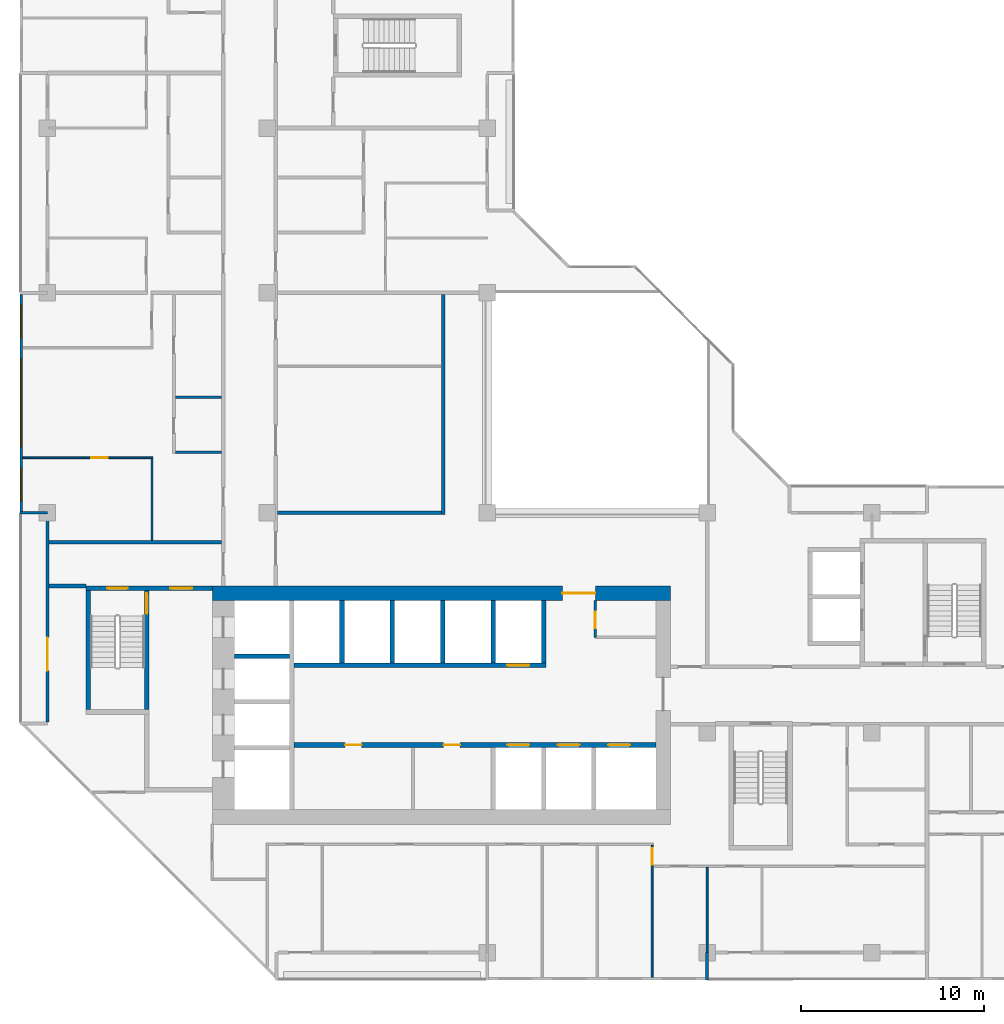
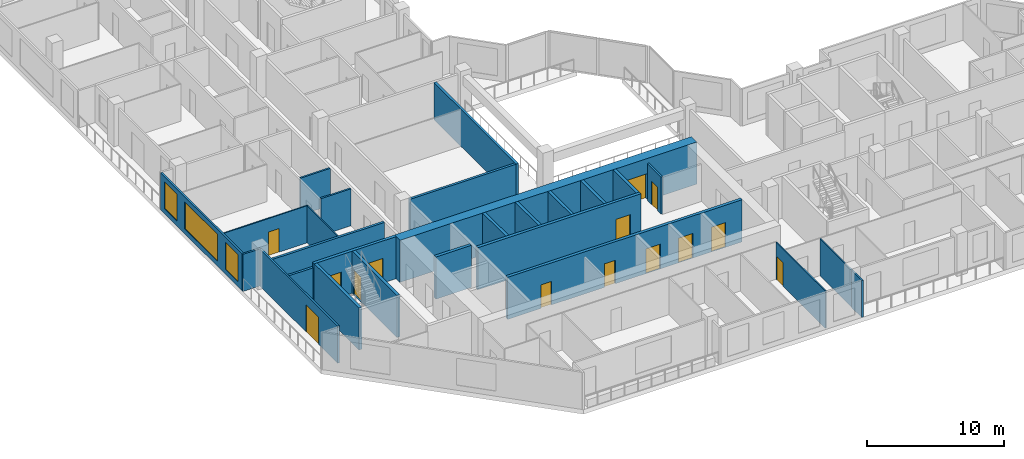
# One storey, part 5 of 15: 27 walls, 14 doors, 3 windows, 17 openings.
"""IFC4 building model written with IfcOpenShell, lengths in metres."""

from ifc_helpers import new_model, si_unit, direction, frame, frame_2d, origin, place, context, subcontext, project, spatial, rectangle, extrude, material, layer, layer_set, type_object, element, fill, save


model = new_model("IFC4")

# Units and contexts
model_context = context("Model", 3, precision=1e-05, world=origin(), true_north=direction((0.0, 1.0)))
body_context = subcontext(model_context, "Body", "Model", "MODEL_VIEW")
ifc_project = project(units=[si_unit("LENGTHUNIT", "METRE"), si_unit("AREAUNIT", "SQUARE_METRE"), si_unit("VOLUMEUNIT", "CUBIC_METRE"), si_unit("PLANEANGLEUNIT", "RADIAN"), si_unit("MASSUNIT", "GRAM", prefix="KILO")], contexts=[model_context])

# Site, building, storey
site_placement = place(None, origin())
site = spatial("IfcSite", under=ifc_project, at=site_placement, CompositionType="ELEMENT")
building_placement = place(site_placement, origin())
building = spatial("IfcBuilding", under=site, at=building_placement, Name="Chenar Terraces", CompositionType="ELEMENT")
storey_placement = place(building_placement, frame((0.0, 0.0, 202.39990234375)))
storey = spatial("IfcBuildingStorey", under=building, at=storey_placement, Name="L47", CompositionType="ELEMENT", Elevation=202.39990234375)

# Wall, opening, door
ifc_material_1 = material(Name="Gypsum board on steel studs", Category="steel")
ifc_layer_1 = layer(ifc_material_1, 0.14990234375)
ifc_layer_set_1 = layer_set([ifc_layer_1], Name="Gypsum board on steel studs")
wall_type_1 = type_object("IfcWallType", Name="Core partition 150 gypsum board", PredefinedType="PARTITIONING", material=ifc_layer_set_1)
wall_1_placement = place(storey_placement, frame((29.89990234375, 17.199951171875, 0.0), z_axis=(0.0, 0.0, 1.0), x_axis=(0.0, 1.0, 0.0)))
wall_1 = element("IfcWall", 1, at=wall_1_placement, inside=storey, type_object=wall_type_1, Name="Core partition CP1 vestibule room west wall", PredefinedType="PARTITIONING", context=body_context, shape_type="SweptSolid", body=[
    extrude(rectangle(XDim=2.0, YDim=0.14990234375, at=frame_2d((1.0, 0.0))), origin(), (0.0, 0.0, 1.0), 3.300048828125),
])
opening_1_placement = place(wall_1_placement, frame((0.5, 0.0, 0.0)))
opening_1 = element("IfcOpeningElement", 2, at=opening_1_placement, cuts=wall_1, Name="Opening DL47-C14", PredefinedType="OPENING", context=body_context, shape_type="SweptSolid", body=[
    extrude(rectangle(XDim=0.89990234375, YDim=2.10009765625, at=frame_2d((0.449951171875, 1.050048828125))), frame((0.0, 0.0849609375, 0.0), z_axis=(0.0, -1.0, 0.0), x_axis=(1.0, 0.0, 0.0)), (0.0, 0.0, 1.0), 0.169921875),
])
ifc_material_2 = material(Name="Steel-framed fire-resisting door leaf", Category="steel")
door_type_1 = type_object("IfcDoorType", Name="Riser fire door FD60 900 x 2100", OperationType="SINGLE_SWING_LEFT", PredefinedType="DOOR", material=ifc_material_2)
door_1_placement = place(opening_1_placement, frame((0.89990234375, 0.0, 0.0), z_axis=(0.0, 0.0, 1.0), x_axis=(-1.0, 0.0, 0.0)))
door_1 = element("IfcDoor", 3, at=door_1_placement, inside=storey, type_object=door_type_1, Name="Core room door DL47-C14", OperationType="SINGLE_SWING_RIGHT", OverallHeight=2.10009765625, OverallWidth=0.89990234375, PredefinedType="DOOR", context=body_context, shape_type="SweptSolid", body=[
    extrude(rectangle(XDim=0.89990234375, YDim=2.10009765625, at=frame_2d((0.449951171875, 1.050048828125))), frame((0.0, 0.02490234375, 0.0), z_axis=(0.0, -1.0, 0.0), x_axis=(1.0, 0.0, 0.0)), (0.0, 0.0, 1.0), 0.050048828125),
])
fill(opening_1, door_1)

# Wall, openings, doors
ifc_material_3 = material(Name="Concrete C60/75", Category="concrete")
ifc_layer_2 = layer(ifc_material_3, 0.25)
ifc_layer_set_2 = layer_set([ifc_layer_2], Name="Concrete C60/75")
wall_type_2 = type_object("IfcWallType", Name="Core wall 250 Concrete C60/75", PredefinedType="SHEAR", material=ifc_layer_set_2)
wall_2_placement = place(storey_placement, frame((13.449951171875, 11.324951171875, 0.0), z_axis=(0.0, 0.0, 1.0), x_axis=(1.0, 0.0, 0.0)))
wall_2 = element("IfcWall", 4, at=wall_2_placement, inside=storey, type_object=wall_type_2, Name="Core wall SF L47", PredefinedType="SHEAR", context=body_context, shape_type="SweptSolid", body=[
    extrude(rectangle(XDim=19.75, YDim=0.25, at=frame_2d((9.875, 0.0))), origin(), (0.0, 0.0, 1.0), 3.75),
])
opening_2_placement = place(wall_2_placement, frame((11.64990234375, 0.0, 0.0)))
opening_2 = element("IfcOpeningElement", 5, at=opening_2_placement, cuts=wall_2, Name="Opening DL47-LD1", PredefinedType="OPENING", context=body_context, shape_type="SweptSolid", body=[
    extrude(rectangle(XDim=1.199951171875, YDim=2.199951171875, at=frame_2d((0.60009765625, 1.10009765625))), frame((0.0, 0.135009765625, 0.0), z_axis=(0.0, -1.0, 0.0), x_axis=(1.0, 0.0, 0.0)), (0.0, 0.0, 1.0), 0.27001953125),
])
opening_3_placement = place(wall_2_placement, frame((14.39990234375, 0.0, 0.0)))
opening_3 = element("IfcOpeningElement", 6, at=opening_3_placement, cuts=wall_2, Name="Opening DL47-LD2", PredefinedType="OPENING", context=body_context, shape_type="SweptSolid", body=[
    extrude(rectangle(XDim=1.199951171875, YDim=2.199951171875, at=frame_2d((0.60009765625, 1.10009765625))), frame((0.0, 0.135009765625, 0.0), z_axis=(0.0, -1.0, 0.0), x_axis=(1.0, 0.0, 0.0)), (0.0, 0.0, 1.0), 0.27001953125),
])
opening_4_placement = place(wall_2_placement, frame((17.14990234375, 0.0, 0.0)))
opening_4 = element("IfcOpeningElement", 7, at=opening_4_placement, cuts=wall_2, Name="Opening DL47-LD3", PredefinedType="OPENING", context=body_context, shape_type="SweptSolid", body=[
    extrude(rectangle(XDim=1.199951171875, YDim=2.199951171875, at=frame_2d((0.60009765625, 1.10009765625))), frame((0.0, 0.135009765625, 0.0), z_axis=(0.0, -1.0, 0.0), x_axis=(1.0, 0.0, 0.0)), (0.0, 0.0, 1.0), 0.27001953125),
])
opening_5_placement = place(wall_2_placement, frame((2.800048828125, 0.0, 0.0)))
opening_5 = element("IfcOpeningElement", 8, at=opening_5_placement, cuts=wall_2, Name="Opening DL47-C12", PredefinedType="OPENING", context=body_context, shape_type="SweptSolid", body=[
    extrude(rectangle(XDim=0.89990234375, YDim=2.10009765625, at=frame_2d((0.449951171875, 1.050048828125))), frame((0.0, 0.135009765625, 0.0), z_axis=(0.0, -1.0, 0.0), x_axis=(1.0, 0.0, 0.0)), (0.0, 0.0, 1.0), 0.27001953125),
])
opening_6_placement = place(wall_2_placement, frame((8.175048828125, 0.0, 0.0)))
opening_6 = element("IfcOpeningElement", 9, at=opening_6_placement, cuts=wall_2, Name="Opening DL47-C13", PredefinedType="OPENING", context=body_context, shape_type="SweptSolid", body=[
    extrude(rectangle(XDim=0.89990234375, YDim=2.10009765625, at=frame_2d((0.449951171875, 1.050048828125))), frame((0.0, 0.135009765625, 0.0), z_axis=(0.0, -1.0, 0.0), x_axis=(1.0, 0.0, 0.0)), (0.0, 0.0, 1.0), 0.27001953125),
])
ifc_material_4 = material(Name="Stainless steel", Category="steel")
door_type_2 = type_object("IfcDoorType", Name="Lift landing door 1200 x 2200 sliding", OperationType="DOUBLE_DOOR_SLIDING", PredefinedType="DOOR", material=ifc_material_4)
door_2_placement = place(opening_2_placement, origin())
door_2 = element("IfcDoor", 10, at=door_2_placement, inside=storey, type_object=door_type_2, Name="Landing door M1", OperationType="DOUBLE_DOOR_SLIDING", OverallHeight=2.199951171875, OverallWidth=1.199951171875, PredefinedType="DOOR", context=body_context, shape_type="SweptSolid", body=[
    extrude(rectangle(XDim=1.199951171875, YDim=2.199951171875, at=frame_2d((0.60009765625, 1.10009765625))), frame((0.0, 0.02490234375, 0.0), z_axis=(0.0, -1.0, 0.0), x_axis=(1.0, 0.0, 0.0)), (0.0, 0.0, 1.0), 0.050048828125),
])
fill(opening_2, door_2)
door_3_placement = place(opening_3_placement, origin())
door_3 = element("IfcDoor", 11, at=door_3_placement, inside=storey, type_object=door_type_2, Name="Landing door M2", OperationType="DOUBLE_DOOR_SLIDING", OverallHeight=2.199951171875, OverallWidth=1.199951171875, PredefinedType="DOOR", context=body_context, shape_type="SweptSolid", body=[
    extrude(rectangle(XDim=1.199951171875, YDim=2.199951171875, at=frame_2d((0.60009765625, 1.10009765625))), frame((0.0, 0.02490234375, 0.0), z_axis=(0.0, -1.0, 0.0), x_axis=(1.0, 0.0, 0.0)), (0.0, 0.0, 1.0), 0.050048828125),
])
fill(opening_3, door_3)
door_4_placement = place(opening_4_placement, origin())
door_4 = element("IfcDoor", 12, at=door_4_placement, inside=storey, type_object=door_type_2, Name="Landing door M3", OperationType="DOUBLE_DOOR_SLIDING", OverallHeight=2.199951171875, OverallWidth=1.199951171875, PredefinedType="DOOR", context=body_context, shape_type="SweptSolid", body=[
    extrude(rectangle(XDim=1.199951171875, YDim=2.199951171875, at=frame_2d((0.60009765625, 1.10009765625))), frame((0.0, 0.02490234375, 0.0), z_axis=(0.0, -1.0, 0.0), x_axis=(1.0, 0.0, 0.0)), (0.0, 0.0, 1.0), 0.050048828125),
])
fill(opening_4, door_4)
door_5_placement = place(opening_5_placement, frame((0.89990234375, 0.0, 0.0), z_axis=(0.0, 0.0, 1.0), x_axis=(-1.0, 0.0, 0.0)))
door_5 = element("IfcDoor", 13, at=door_5_placement, inside=storey, type_object=door_type_1, Name="Core room door DL47-C12", OperationType="SINGLE_SWING_LEFT", OverallHeight=2.10009765625, OverallWidth=0.89990234375, PredefinedType="DOOR", context=body_context, shape_type="SweptSolid", body=[
    extrude(rectangle(XDim=0.89990234375, YDim=2.10009765625, at=frame_2d((0.449951171875, 1.050048828125))), frame((0.0, 0.02490234375, 0.0), z_axis=(0.0, -1.0, 0.0), x_axis=(1.0, 0.0, 0.0)), (0.0, 0.0, 1.0), 0.050048828125),
])
fill(opening_5, door_5)
door_6_placement = place(opening_6_placement, frame((0.89990234375, 0.0, 0.0), z_axis=(0.0, 0.0, 1.0), x_axis=(-1.0, 0.0, 0.0)))
door_6 = element("IfcDoor", 14, at=door_6_placement, inside=storey, type_object=door_type_1, Name="Core room door DL47-C13", OperationType="SINGLE_SWING_LEFT", OverallHeight=2.10009765625, OverallWidth=0.89990234375, PredefinedType="DOOR", context=body_context, shape_type="SweptSolid", body=[
    extrude(rectangle(XDim=0.89990234375, YDim=2.10009765625, at=frame_2d((0.449951171875, 1.050048828125))), frame((0.0, 0.02490234375, 0.0), z_axis=(0.0, -1.0, 0.0), x_axis=(1.0, 0.0, 0.0)), (0.0, 0.0, 1.0), 0.050048828125),
])
fill(opening_6, door_6)

# Wall, opening, door
wall_3_placement = place(storey_placement, frame((13.449951171875, 15.675048828125, 0.0), z_axis=(0.0, 0.0, 1.0), x_axis=(1.0, 0.0, 0.0)))
wall_3 = element("IfcWall", 15, at=wall_3_placement, inside=storey, type_object=wall_type_2, Name="Core wall NF L47", PredefinedType="SHEAR", context=body_context, shape_type="SweptSolid", body=[
    extrude(rectangle(XDim=13.75, YDim=0.25, at=frame_2d((6.875, 0.0))), origin(), (0.0, 0.0, 1.0), 3.75),
])
opening_7_placement = place(wall_3_placement, frame((11.64990234375, 0.0, 0.0)))
opening_7 = element("IfcOpeningElement", 16, at=opening_7_placement, cuts=wall_3, Name="Opening DL47-LD4", PredefinedType="OPENING", context=body_context, shape_type="SweptSolid", body=[
    extrude(rectangle(XDim=1.199951171875, YDim=2.199951171875, at=frame_2d((0.60009765625, 1.10009765625))), frame((0.0, 0.135009765625, 0.0), z_axis=(0.0, -1.0, 0.0), x_axis=(1.0, 0.0, 0.0)), (0.0, 0.0, 1.0), 0.27001953125),
])
door_7_placement = place(opening_7_placement, origin())
door_7 = element("IfcDoor", 17, at=door_7_placement, inside=storey, type_object=door_type_2, Name="Landing door M4", OperationType="DOUBLE_DOOR_SLIDING", OverallHeight=2.199951171875, OverallWidth=1.199951171875, PredefinedType="DOOR", context=body_context, shape_type="SweptSolid", body=[
    extrude(rectangle(XDim=1.199951171875, YDim=2.199951171875, at=frame_2d((0.60009765625, 1.10009765625))), frame((0.0, 0.02490234375, 0.0), z_axis=(0.0, -1.0, 0.0), x_axis=(1.0, 0.0, 0.0)), (0.0, 0.0, 1.0), 0.050048828125),
])
fill(opening_7, door_7)

# Walls
wall_4_placement = place(storey_placement, frame((10.199951171875, 16.175048828125, 0.0), z_axis=(0.0, 0.0, 1.0), x_axis=(1.0, 0.0, 0.0)))
element("IfcWall", 18, at=wall_4_placement, inside=storey, type_object=wall_type_2, Name="Core wall HW2 L47", PredefinedType="SHEAR", context=body_context, shape_type="SweptSolid", body=[
    extrude(rectangle(XDim=3.0, YDim=0.25, at=frame_2d((1.5, 0.0))), origin(), (0.0, 0.0, 1.0), 3.75),
])
for number, where, z_axis, x_axis, name in (
    (19, (16.074951171875, 15.800048828125, 0.0), (0.0, 0.0, 1.0), (0.0, 1.0, 0.0), "Core wall NS0 L47"),
    (20, (18.824951171875, 15.800048828125, 0.0), (0.0, 0.0, 1.0), (0.0, 1.0, 0.0), "Core wall NS1 L47"),
    (21, (21.574951171875, 15.800048828125, 0.0), (0.0, 0.0, 1.0), (0.0, 1.0, 0.0), "Core wall NS2 L47"),
    (22, (24.324951171875, 15.800048828125, 0.0), (0.0, 0.0, 1.0), (0.0, 1.0, 0.0), "Core wall NS3 L47"),
    (23, (27.074951171875, 15.800048828125, 0.0), (0.0, 0.0, 1.0), (0.0, 1.0, 0.0), "Core wall NE L47"),
):
    element("IfcWall", number, at=place(storey_placement, frame(where, z_axis=z_axis, x_axis=x_axis)), inside=storey, type_object=wall_type_2, Name=name, PredefinedType="SHEAR", context=body_context, shape_type="SweptSolid", body=[
        extrude(rectangle(XDim=3.39990234375, YDim=0.25, at=frame_2d((1.699951171875, 0.0))), origin(), (0.0, 0.0, 1.0), 3.75),
    ])

# Wall, openings, doors
wall_5_placement = place(storey_placement, frame((2.10009765625, 19.875, 0.0), z_axis=(0.0, 0.0, 1.0), x_axis=(1.0, 0.0, 0.0)))
wall_5 = element("IfcWall", 24, at=wall_5_placement, inside=storey, type_object=wall_type_2, Name="Core wall A_N L47", PredefinedType="SHEAR", context=body_context, shape_type="SweptSolid", body=[
    extrude(rectangle(XDim=6.89990234375, YDim=0.25, at=frame_2d((3.449951171875, 0.0))), origin(), (0.0, 0.0, 1.0), 3.75),
])
opening_8_placement = place(wall_5_placement, frame((1.175048828125, 0.0, 0.0)))
opening_8 = element("IfcOpeningElement", 25, at=opening_8_placement, cuts=wall_5, Name="Opening DL47-C5", PredefinedType="OPENING", context=body_context, shape_type="SweptSolid", body=[
    extrude(rectangle(XDim=1.10009765625, YDim=2.199951171875, at=frame_2d((0.550048828125, 1.10009765625))), frame((0.0, 0.135009765625, 0.0), z_axis=(0.0, -1.0, 0.0), x_axis=(1.0, 0.0, 0.0)), (0.0, 0.0, 1.0), 0.27001953125),
])
opening_9_placement = place(wall_5_placement, frame((4.60009765625, 0.0, 0.0)))
opening_9 = element("IfcOpeningElement", 26, at=opening_9_placement, cuts=wall_5, Name="Opening DL47-C6", PredefinedType="OPENING", context=body_context, shape_type="SweptSolid", body=[
    extrude(rectangle(XDim=1.199951171875, YDim=2.199951171875, at=frame_2d((0.60009765625, 1.10009765625))), frame((0.0, 0.135009765625, 0.0), z_axis=(0.0, -1.0, 0.0), x_axis=(1.0, 0.0, 0.0)), (0.0, 0.0, 1.0), 0.27001953125),
])
ifc_material_5 = material(Name="Steel-framed fire-resisting door leaf", Category="steel")
door_type_3 = type_object("IfcDoorType", Name="Lobby fire door FD60 1200 x 2200", OperationType="SINGLE_SWING_LEFT", PredefinedType="DOOR", material=ifc_material_5)
door_8_placement = place(opening_9_placement, frame((1.199951171875, 0.0, 0.0), z_axis=(0.0, 0.0, 1.0), x_axis=(-1.0, 0.0, 0.0)))
door_8 = element("IfcDoor", 27, at=door_8_placement, inside=storey, type_object=door_type_3, Name="Core door DL47-C6", OperationType="SINGLE_SWING_LEFT", OverallHeight=2.199951171875, OverallWidth=1.199951171875, PredefinedType="DOOR", context=body_context, shape_type="SweptSolid", body=[
    extrude(rectangle(XDim=1.199951171875, YDim=2.199951171875, at=frame_2d((0.60009765625, 1.10009765625))), frame((0.0, 0.02490234375, 0.0), z_axis=(0.0, -1.0, 0.0), x_axis=(1.0, 0.0, 0.0)), (0.0, 0.0, 1.0), 0.050048828125),
])
fill(opening_9, door_8)
ifc_material_6 = material(Name="Steel-framed fire-resisting door leaf", Category="steel")
door_type_4 = type_object("IfcDoorType", Name="Stair fire door FD60 1100 x 2200", OperationType="SINGLE_SWING_LEFT", PredefinedType="DOOR", material=ifc_material_6)
door_9_placement = place(opening_8_placement, origin())
door_9 = element("IfcDoor", 28, at=door_9_placement, inside=storey, type_object=door_type_4, Name="Stair door DL47-C5", OperationType="SINGLE_SWING_LEFT", OverallHeight=2.199951171875, OverallWidth=1.10009765625, PredefinedType="DOOR", context=body_context, shape_type="SweptSolid", body=[
    extrude(rectangle(XDim=1.10009765625, YDim=2.199951171875, at=frame_2d((0.550048828125, 1.10009765625))), frame((0.0, 0.02490234375, 0.0), z_axis=(0.0, -1.0, 0.0), x_axis=(1.0, 0.0, 0.0)), (0.0, 0.0, 1.0), 0.050048828125),
])
fill(opening_8, door_9)

# Wall
wall_6_placement = place(storey_placement, frame((2.22509765625, 13.25, 0.0), z_axis=(0.0, 0.0, 1.0), x_axis=(0.0, 1.0, 0.0)))
element("IfcWall", 29, at=wall_6_placement, inside=storey, type_object=wall_type_2, Name="Core wall ST1_W L47", PredefinedType="SHEAR", context=body_context, shape_type="SweptSolid", body=[
    extrude(rectangle(XDim=6.5, YDim=0.25, at=frame_2d((3.25, 0.0))), origin(), (0.0, 0.0, 1.0), 3.75),
])

# Wall, opening, door
wall_7_placement = place(storey_placement, frame((5.425048828125, 13.25, 0.0), z_axis=(0.0, 0.0, 1.0), x_axis=(0.0, 1.0, 0.0)))
wall_7 = element("IfcWall", 30, at=wall_7_placement, inside=storey, type_object=wall_type_2, Name="Core wall ST1_E L47", PredefinedType="SHEAR", context=body_context, shape_type="SweptSolid", body=[
    extrude(rectangle(XDim=6.5, YDim=0.25, at=frame_2d((3.25, 0.0))), origin(), (0.0, 0.0, 1.0), 3.75),
])
opening_10_placement = place(wall_7_placement, frame((5.25, 0.0, 0.0)))
opening_10 = element("IfcOpeningElement", 31, at=opening_10_placement, cuts=wall_7, Name="Opening DL47-C3", PredefinedType="OPENING", context=body_context, shape_type="SweptSolid", body=[
    extrude(rectangle(XDim=1.10009765625, YDim=2.199951171875, at=frame_2d((0.550048828125, 1.10009765625))), frame((0.0, 0.135009765625, 0.0), z_axis=(0.0, -1.0, 0.0), x_axis=(1.0, 0.0, 0.0)), (0.0, 0.0, 1.0), 0.27001953125),
])
door_10_placement = place(opening_10_placement, origin())
door_10 = element("IfcDoor", 32, at=door_10_placement, inside=storey, type_object=door_type_4, Name="Stair door DL47-C3", OperationType="SINGLE_SWING_RIGHT", OverallHeight=2.199951171875, OverallWidth=1.10009765625, PredefinedType="DOOR", context=body_context, shape_type="SweptSolid", body=[
    extrude(rectangle(XDim=1.10009765625, YDim=2.199951171875, at=frame_2d((0.550048828125, 1.10009765625))), frame((0.0, 0.02490234375, 0.0), z_axis=(0.0, -1.0, 0.0), x_axis=(1.0, 0.0, 0.0)), (0.0, 0.0, 1.0), 0.050048828125),
])
fill(opening_10, door_10)

ifc_material_7 = material(Name="Concrete C60/75", Category="concrete")
ifc_layer_3 = layer(ifc_material_7, 0.800048828125)
ifc_layer_set_3 = layer_set([ifc_layer_3], Name="Concrete C60/75")
wall_type_3 = type_object("IfcWallType", Name="Core wall 800 Concrete C60/75", PredefinedType="SHEAR", material=ifc_layer_set_3)
wall_8_placement = place(storey_placement, frame((9.0, 19.60009765625, 0.0), z_axis=(0.0, 0.0, 1.0), x_axis=(1.0, 0.0, 0.0)))
wall_8 = element("IfcWall", 33, at=wall_8_placement, inside=storey, type_object=wall_type_3, Name="Core wall N L47", PredefinedType="SHEAR", context=body_context, shape_type="SweptSolid", body=[
    extrude(rectangle(XDim=25.0, YDim=0.800048828125, at=frame_2d((12.5, 0.0))), origin(), (0.0, 0.0, 1.0), 3.75),
])
opening_11_placement = place(wall_8_placement, frame((19.10009765625, 0.0, 0.0)))
opening_11 = element("IfcOpeningElement", 34, at=opening_11_placement, cuts=wall_8, Name="Opening DL47-C2", PredefinedType="OPENING", context=body_context, shape_type="SweptSolid", body=[
    extrude(rectangle(XDim=1.800048828125, YDim=2.39990234375, at=frame_2d((0.89990234375, 1.199951171875))), frame((0.0, 0.409912109375, 0.0), z_axis=(0.0, -1.0, 0.0), x_axis=(1.0, 0.0, 0.0)), (0.0, 0.0, 1.0), 0.820068359375),
])
ifc_material_8 = material(Name="Steel-framed fire-resisting door leaf", Category="steel")
door_type_5 = type_object("IfcDoorType", Name="Core entrance double fire door FD60 1800 x 2400", OperationType="DOUBLE_DOOR_SINGLE_SWING", PredefinedType="DOOR", material=ifc_material_8)
door_11_placement = place(opening_11_placement, origin())
door_11 = element("IfcDoor", 35, at=door_11_placement, inside=storey, type_object=door_type_5, Name="Core door DL47-C2", OperationType="DOUBLE_DOOR_SINGLE_SWING", OverallHeight=2.39990234375, OverallWidth=1.800048828125, PredefinedType="DOOR", context=body_context, shape_type="SweptSolid", body=[
    extrude(rectangle(XDim=1.800048828125, YDim=2.39990234375, at=frame_2d((0.89990234375, 1.199951171875))), frame((0.0, 0.02490234375, 0.0), z_axis=(0.0, -1.0, 0.0), x_axis=(1.0, 0.0, 0.0)), (0.0, 0.0, 1.0), 0.050048828125),
])
fill(opening_11, door_11)

# Walls
ifc_material_9 = material(Name="Gypsum board on steel studs with fire boards", Category="steel")
ifc_layer_4 = layer(ifc_material_9, 0.199951171875)
ifc_layer_set_4 = layer_set([ifc_layer_4], Name="Gypsum board on steel studs with fire boards")
wall_type_4 = type_object("IfcWallType", Name="Corridor wall 200", PredefinedType="PARTITIONING", material=ifc_layer_set_4)
wall_9_placement = place(storey_placement, frame((0.073974609375, 20.0, 0.0), z_axis=(0.0, 0.0, 1.0), x_axis=(1.0, 0.0, 0.0)))
element("IfcWall", 36, at=wall_9_placement, inside=storey, type_object=wall_type_4, Name="Partition L47-008", PredefinedType="PARTITIONING", context=body_context, shape_type="SweptSolid", body=[
    extrude(rectangle(XDim=2.026123046875, YDim=0.199951171875, at=frame_2d((1.01318359375, 0.0))), origin(), (0.0, 0.0, 1.0), 3.300048828125),
])
wall_10_placement = place(storey_placement, frame((0.073974609375, 22.39990234375, 0.0), z_axis=(0.0, 0.0, 1.0), x_axis=(1.0, 0.0, 0.0)))
element("IfcWall", 37, at=wall_10_placement, inside=storey, type_object=wall_type_4, Name="Partition L47-009", PredefinedType="PARTITIONING", context=body_context, shape_type="SweptSolid", body=[
    extrude(rectangle(XDim=9.426025390625, YDim=0.199951171875, at=frame_2d((4.712890625, 0.0))), origin(), (0.0, 0.0, 1.0), 3.300048828125),
])
wall_11_placement = place(storey_placement, frame((12.550048828125, 24.0, 0.0), z_axis=(0.0, 0.0, 1.0), x_axis=(1.0, 0.0, 0.0)))
element("IfcWall", 38, at=wall_11_placement, inside=storey, type_object=wall_type_4, Name="Partition L47-037", PredefinedType="PARTITIONING", context=body_context, shape_type="SweptSolid", body=[
    extrude(rectangle(XDim=8.949951171875, YDim=0.199951171875, at=frame_2d((4.47509765625, 0.0))), origin(), (0.0, 0.0, 1.0), 3.300048828125),
])
wall_12_placement = place(storey_placement, frame((21.60009765625, 23.89990234375, 0.0), z_axis=(0.0, 0.0, 1.0), x_axis=(0.0, 1.0, 0.0)))
element("IfcWall", 39, at=wall_12_placement, inside=storey, type_object=wall_type_4, Name="Partition L47-058", PredefinedType="PARTITIONING", context=body_context, shape_type="SweptSolid", body=[
    extrude(rectangle(XDim=12.0, YDim=0.199951171875, at=frame_2d((6.0, 0.0))), origin(), (0.0, 0.0, 1.0), 3.300048828125),
])

# Wall, openings, windows
ifc_material_10 = material(Name="Aluminium framed glazing", Category="aluminium")
ifc_layer_5 = layer(ifc_material_10, 0.14990234375)
ifc_layer_set_5 = layer_set([ifc_layer_5], Name="Aluminium framed glazing")
wall_type_5 = type_object("IfcWallType", Name="Glazed flush facade wall 150", PredefinedType="SOLIDWALL", material=ifc_layer_set_5)
wall_13_placement = place(storey_placement, frame((-1.425048828125, 35.925048828125, 0.0), z_axis=(0.0, 0.0, 1.0), x_axis=(0.0, -1.0, 0.0)))
wall_13 = element("IfcWall", 40, at=wall_13_placement, inside=storey, type_object=wall_type_5, Name="Glazed flush facade wall", PredefinedType="SOLIDWALL", context=body_context, shape_type="SweptSolid", body=[
    extrude(rectangle(XDim=11.85009765625, YDim=0.14990234375, at=frame_2d((5.925048828125, 0.0))), origin(), (0.0, 0.0, 1.0), 3.300048828125),
])
opening_12_placement = place(wall_13_placement, frame((0.5625, 0.0, 0.449951171875)))
opening_12 = element("IfcOpeningElement", 41, at=opening_12_placement, cuts=wall_13, Name="Opening W180x240", PredefinedType="OPENING", context=body_context, shape_type="SweptSolid", body=[
    extrude(rectangle(XDim=1.800048828125, YDim=2.39990234375, at=frame_2d((0.89990234375, 1.199951171875))), frame((0.0, 0.0849609375, 0.0), z_axis=(0.0, -1.0, 0.0), x_axis=(1.0, 0.0, 0.0)), (0.0, 0.0, 1.0), 0.169921875),
])
opening_13_placement = place(wall_13_placement, frame((3.52490234375, 0.0, 0.449951171875)))
opening_13 = element("IfcOpeningElement", 42, at=opening_13_placement, cuts=wall_13, Name="Opening W480x240", PredefinedType="OPENING", context=body_context, shape_type="SweptSolid", body=[
    extrude(rectangle(XDim=4.800048828125, YDim=2.39990234375, at=frame_2d((2.39990234375, 1.199951171875))), frame((0.0, 0.0849609375, 0.0), z_axis=(0.0, -1.0, 0.0), x_axis=(1.0, 0.0, 0.0)), (0.0, 0.0, 1.0), 0.169921875),
])
opening_14_placement = place(wall_13_placement, frame((9.487548828125, 0.0, 0.449951171875)))
opening_14 = element("IfcOpeningElement", 43, at=opening_14_placement, cuts=wall_13, Name="Opening W180x240", PredefinedType="OPENING", context=body_context, shape_type="SweptSolid", body=[
    extrude(rectangle(XDim=1.800048828125, YDim=2.39990234375, at=frame_2d((0.89990234375, 1.199951171875))), frame((0.0, 0.0849609375, 0.0), z_axis=(0.0, -1.0, 0.0), x_axis=(1.0, 0.0, 0.0)), (0.0, 0.0, 1.0), 0.169921875),
])
ifc_material_11 = material(Name="Low emissivity double glazing, aluminium frame", Category="aluminium")
window_type_1 = type_object("IfcWindowType", Name="Fixed light 1800 x 2400", PartitioningType="SINGLE_PANEL", PredefinedType="WINDOW", material=ifc_material_11)
window_1_placement = place(opening_12_placement, origin())
window_1 = element("IfcWindow", 44, at=window_1_placement, inside=storey, type_object=window_type_1, Name="Window", OverallHeight=2.39990234375, OverallWidth=1.800048828125, PartitioningType="SINGLE_PANEL", PredefinedType="WINDOW", context=body_context, shape_type="SweptSolid", body=[
    extrude(rectangle(XDim=1.800048828125, YDim=2.39990234375, at=frame_2d((0.89990234375, 1.199951171875))), frame((0.0, 0.030029296875, 0.0), z_axis=(0.0, -1.0, 0.0), x_axis=(1.0, 0.0, 0.0)), (0.0, 0.0, 1.0), 0.06005859375),
])
fill(opening_12, window_1)
window_2_placement = place(opening_14_placement, origin())
window_2 = element("IfcWindow", 45, at=window_2_placement, inside=storey, type_object=window_type_1, Name="Window", OverallHeight=2.39990234375, OverallWidth=1.800048828125, PartitioningType="SINGLE_PANEL", PredefinedType="WINDOW", context=body_context, shape_type="SweptSolid", body=[
    extrude(rectangle(XDim=1.800048828125, YDim=2.39990234375, at=frame_2d((0.89990234375, 1.199951171875))), frame((0.0, 0.030029296875, 0.0), z_axis=(0.0, -1.0, 0.0), x_axis=(1.0, 0.0, 0.0)), (0.0, 0.0, 1.0), 0.06005859375),
])
fill(opening_14, window_2)
ifc_material_12 = material(Name="Low emissivity double glazing, aluminium frame", Category="aluminium")
window_type_2 = type_object("IfcWindowType", Name="Fixed light 4800 x 2400", PartitioningType="SINGLE_PANEL", PredefinedType="WINDOW", material=ifc_material_12)
window_3_placement = place(opening_13_placement, origin())
window_3 = element("IfcWindow", 46, at=window_3_placement, inside=storey, type_object=window_type_2, Name="Window", OverallHeight=2.39990234375, OverallWidth=4.800048828125, PartitioningType="SINGLE_PANEL", PredefinedType="WINDOW", context=body_context, shape_type="SweptSolid", body=[
    extrude(rectangle(XDim=4.800048828125, YDim=2.39990234375, at=frame_2d((2.39990234375, 1.199951171875))), frame((0.0, 0.030029296875, 0.0), z_axis=(0.0, -1.0, 0.0), x_axis=(1.0, 0.0, 0.0)), (0.0, 0.0, 1.0), 0.06005859375),
])
fill(opening_13, window_3)

# Wall, opening, door
ifc_material_13 = material(Name="Aluminium framed glazing", Category="aluminium")
ifc_layer_6 = layer(ifc_material_13, 0.14990234375)
ifc_layer_set_6 = layer_set([ifc_layer_6], Name="Aluminium framed glazing")
wall_type_6 = type_object("IfcWallType", Name="Glazed loggia back wall 150", PredefinedType="SOLIDWALL", material=ifc_layer_set_6)
wall_14_placement = place(storey_placement, frame((0.0, 23.925048828125, 0.0), z_axis=(0.0, 0.0, 1.0), x_axis=(0.0, -1.0, 0.0)))
wall_14 = element("IfcWall", 47, at=wall_14_placement, inside=storey, type_object=wall_type_6, Name="Glazed loggia back wall", PredefinedType="SOLIDWALL", context=body_context, shape_type="SweptSolid", body=[
    extrude(rectangle(XDim=11.35009765625, YDim=0.14990234375, at=frame_2d((5.675048828125, 0.0))), origin(), (0.0, 0.0, 1.0), 3.300048828125),
])
opening_15_placement = place(wall_14_placement, frame((6.737548828125, 0.0, 0.0)))
opening_15 = element("IfcOpeningElement", 48, at=opening_15_placement, cuts=wall_14, Name="Opening DL47-G4", PredefinedType="OPENING", context=body_context, shape_type="SweptSolid", body=[
    extrude(rectangle(XDim=1.800048828125, YDim=2.39990234375, at=frame_2d((0.89990234375, 1.199951171875))), frame((0.0, 0.0849609375, 0.0), z_axis=(0.0, -1.0, 0.0), x_axis=(1.0, 0.0, 0.0)), (0.0, 0.0, 1.0), 0.169921875),
])
ifc_material_14 = material(Name="Low emissivity double glazing, aluminium frame", Category="aluminium")
door_type_6 = type_object("IfcDoorType", Name="Loggia glazed double door 1800 x 2400", OperationType="DOUBLE_DOOR_SINGLE_SWING", PredefinedType="DOOR", material=ifc_material_14)
door_12_placement = place(opening_15_placement, frame((1.800048828125, 0.0, 0.0), z_axis=(0.0, 0.0, 1.0), x_axis=(-1.0, 0.0, 0.0)))
door_12 = element("IfcDoor", 49, at=door_12_placement, inside=storey, type_object=door_type_6, Name="Loggia glazed door", OperationType="DOUBLE_DOOR_SINGLE_SWING", OverallHeight=2.39990234375, OverallWidth=1.800048828125, PredefinedType="DOOR", context=body_context, shape_type="SweptSolid", body=[
    extrude(rectangle(XDim=1.800048828125, YDim=2.39990234375, at=frame_2d((0.89990234375, 1.199951171875))), frame((0.0, 0.02490234375, 0.0), z_axis=(0.0, -1.0, 0.0), x_axis=(1.0, 0.0, 0.0)), (0.0, 0.0, 1.0), 0.050048828125),
])
fill(opening_15, door_12)

ifc_material_15 = material(Name="Gypsum board on steel studs", Category="steel")
ifc_layer_7 = layer(ifc_material_15, 0.10009765625)
ifc_layer_set_7 = layer_set([ifc_layer_7], Name="Gypsum board on steel studs")
wall_type_7 = type_object("IfcWallType", Name="Gypsum partition 100", PredefinedType="PARTITIONING", material=ifc_layer_set_7)
wall_15_placement = place(storey_placement, frame((-1.35009765625, 27.0, 0.0), z_axis=(0.0, 0.0, 1.0), x_axis=(1.0, 0.0, 0.0)))
wall_15 = element("IfcWall", 50, at=wall_15_placement, inside=storey, type_object=wall_type_7, Name="Partition L47-002", PredefinedType="PARTITIONING", context=body_context, shape_type="SweptSolid", body=[
    extrude(rectangle(XDim=7.10009765625, YDim=0.10009765625, at=frame_2d((3.550048828125, 0.0))), origin(), (0.0, 0.0, 1.0), 3.300048828125),
])
opening_16_placement = place(wall_15_placement, frame((3.75, 0.0, 0.0)))
opening_16 = element("IfcOpeningElement", 51, at=opening_16_placement, cuts=wall_15, Name="Opening DL47-57", PredefinedType="OPENING", context=body_context, shape_type="SweptSolid", body=[
    extrude(rectangle(XDim=0.89990234375, YDim=2.10009765625, at=frame_2d((0.449951171875, 1.050048828125))), frame((0.0, 0.06005859375, 0.0), z_axis=(0.0, -1.0, 0.0), x_axis=(1.0, 0.0, 0.0)), (0.0, 0.0, 1.0), 0.1201171875),
])
ifc_material_16 = material(Name="Veneered timber door leaf", Category="wood")
door_type_7 = type_object("IfcDoorType", Name="Door 900 x 2100", OperationType="SINGLE_SWING_LEFT", PredefinedType="DOOR", material=ifc_material_16)
door_13_placement = place(opening_16_placement, frame((0.89990234375, 0.0, 0.0), z_axis=(0.0, 0.0, 1.0), x_axis=(-1.0, 0.0, 0.0)))
door_13 = element("IfcDoor", 52, at=door_13_placement, inside=storey, type_object=door_type_7, Name="Door DL47-57", OperationType="SINGLE_SWING_LEFT", OverallHeight=2.10009765625, OverallWidth=0.89990234375, PredefinedType="DOOR", context=body_context, shape_type="SweptSolid", body=[
    extrude(rectangle(XDim=0.89990234375, YDim=2.10009765625, at=frame_2d((0.449951171875, 1.050048828125))), frame((0.0, 0.02490234375, 0.0), z_axis=(0.0, -1.0, 0.0), x_axis=(1.0, 0.0, 0.0)), (0.0, 0.0, 1.0), 0.050048828125),
])
fill(opening_16, door_13)

# Wall
wall_16_placement = place(storey_placement, frame((5.699951171875, 22.5, 0.0), z_axis=(0.0, 0.0, 1.0), x_axis=(0.0, 1.0, 0.0)))
element("IfcWall", 53, at=wall_16_placement, inside=storey, type_object=wall_type_7, Name="Partition L47-019", PredefinedType="PARTITIONING", context=body_context, shape_type="SweptSolid", body=[
    extrude(rectangle(XDim=4.449951171875, YDim=0.10009765625, at=frame_2d((2.22509765625, 0.0))), origin(), (0.0, 0.0, 1.0), 3.300048828125),
])

# Wall, opening, door
wall_17_placement = place(storey_placement, frame((33.0, -1.35107421875, 0.0), z_axis=(0.0, 0.0, 1.0), x_axis=(0.0, 1.0, 0.0)))
wall_17 = element("IfcWall", 54, at=wall_17_placement, inside=storey, type_object=wall_type_7, Name="Partition L47-062", PredefinedType="PARTITIONING", context=body_context, shape_type="SweptSolid", body=[
    extrude(rectangle(XDim=7.201171875, YDim=0.10009765625, at=frame_2d((3.6005859375, 0.0))), origin(), (0.0, 0.0, 1.0), 3.300048828125),
])
opening_17_placement = place(wall_17_placement, frame((6.15087890625, 0.0, 0.0)))
opening_17 = element("IfcOpeningElement", 55, at=opening_17_placement, cuts=wall_17, Name="Opening DL47-47", PredefinedType="OPENING", context=body_context, shape_type="SweptSolid", body=[
    extrude(rectangle(XDim=0.89990234375, YDim=2.10009765625, at=frame_2d((0.449951171875, 1.050048828125))), frame((0.0, 0.06005859375, 0.0), z_axis=(0.0, -1.0, 0.0), x_axis=(1.0, 0.0, 0.0)), (0.0, 0.0, 1.0), 0.1201171875),
])
door_14_placement = place(opening_17_placement, origin())
door_14 = element("IfcDoor", 56, at=door_14_placement, inside=storey, type_object=door_type_7, Name="Door DL47-47", OperationType="SINGLE_SWING_RIGHT", OverallHeight=2.10009765625, OverallWidth=0.89990234375, PredefinedType="DOOR", context=body_context, shape_type="SweptSolid", body=[
    extrude(rectangle(XDim=0.89990234375, YDim=2.10009765625, at=frame_2d((0.449951171875, 1.050048828125))), frame((0.0, 0.02490234375, 0.0), z_axis=(0.0, -1.0, 0.0), x_axis=(1.0, 0.0, 0.0)), (0.0, 0.0, 1.0), 0.050048828125),
])
fill(opening_17, door_14)

# Walls
wall_18_placement = place(storey_placement, frame((36.0, 0.0, 0.0), z_axis=(0.0, 0.0, 1.0), x_axis=(0.0, 1.0, 0.0)))
element("IfcWall", 57, at=wall_18_placement, inside=storey, type_object=wall_type_7, Name="Partition L47-066", PredefinedType="PARTITIONING", context=body_context, shape_type="SweptSolid", body=[
    extrude(rectangle(XDim=4.64990234375, YDim=0.10009765625, at=frame_2d((2.324951171875, 0.0))), origin(), (0.0, 0.0, 1.0), 3.300048828125),
])
ifc_material_17 = material(Name="Terracotta cladding on insulated backing", Category="masonry")
ifc_layer_8 = layer(ifc_material_17, 0.14990234375)
ifc_layer_set_8 = layer_set([ifc_layer_8], Name="Terracotta cladding on insulated backing")
wall_type_8 = type_object("IfcWallType", Name="Loggia return wall 150", PredefinedType="SOLIDWALL", material=ifc_layer_set_8)
for number, where, z_axis, x_axis, name in (
    (58, (-1.5, 24.0, 0.0), (0.0, 0.0, 1.0), (1.0, 0.0, 0.0), "Loggia return wall"),
    (59, (36.0, -1.5, 0.0), (0.0, 0.0, 1.0), (0.0, 1.0, 0.0), "Loggia return wall"),
):
    element("IfcWall", number, at=place(storey_placement, frame(where, z_axis=z_axis, x_axis=x_axis)), inside=storey, type_object=wall_type_8, Name=name, PredefinedType="SOLIDWALL", context=body_context, shape_type="SweptSolid", body=[
        extrude(rectangle(XDim=1.5, YDim=0.14990234375, at=frame_2d((0.75, 0.0))), origin(), (0.0, 0.0, 1.0), 3.300048828125),
    ])
ifc_material_18 = material(Name="Moisture-resistant gypsum board on steel studs", Category="steel")
ifc_layer_9 = layer(ifc_material_18, 0.14990234375)
ifc_layer_set_9 = layer_set([ifc_layer_9], Name="Moisture-resistant gypsum board on steel studs")
wall_type_9 = type_object("IfcWallType", Name="Wet-room partition 150", PredefinedType="PARTITIONING", material=ifc_layer_set_9)
for number, where, z_axis, x_axis, name in (
    (60, (6.97509765625, 27.300048828125, 0.0), (0.0, 0.0, 1.0), (1.0, 0.0, 0.0), "Partition L47-029"),
    (61, (6.97509765625, 30.300048828125, 0.0), (0.0, 0.0, 1.0), (1.0, 0.0, 0.0), "Partition L47-030"),
):
    element("IfcWall", number, at=place(storey_placement, frame(where, z_axis=z_axis, x_axis=x_axis)), inside=storey, type_object=wall_type_9, Name=name, PredefinedType="PARTITIONING", context=body_context, shape_type="SweptSolid", body=[
        extrude(rectangle(XDim=2.52490234375, YDim=0.14990234375, at=frame_2d((1.262451171875, 0.0))), origin(), (0.0, 0.0, 1.0), 3.300048828125),
    ])

save(model, "model.ifc")
